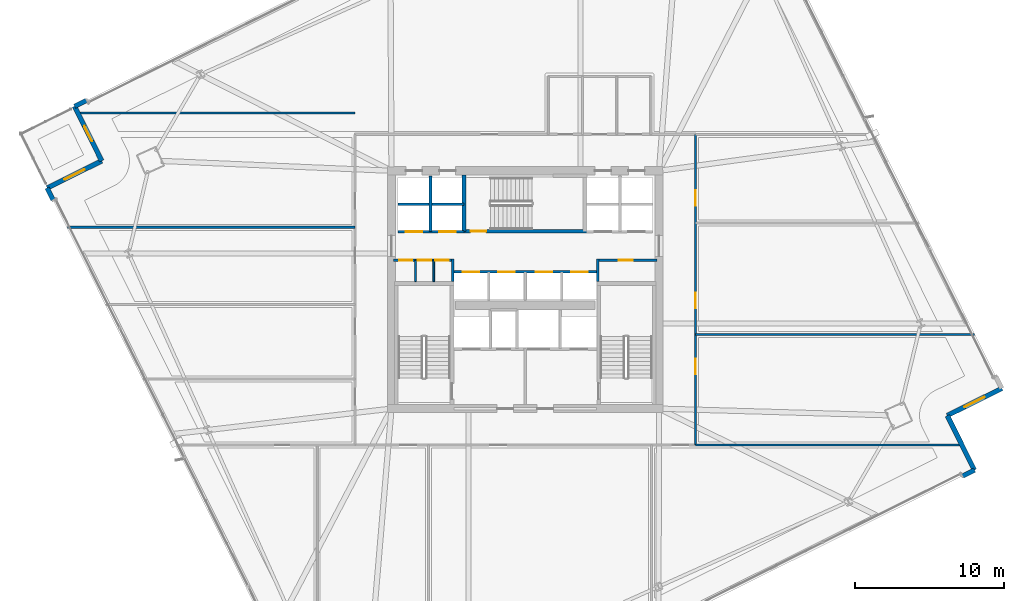
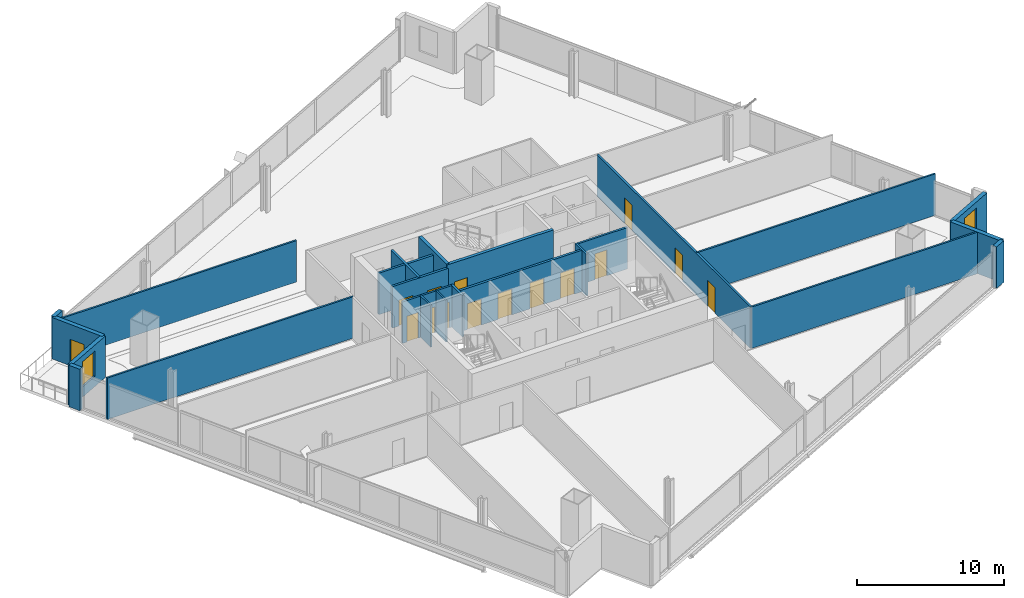
# One storey, part 27 of 35: 24 walls, 15 doors, 2 windows, 17 openings.
"""IFC4 building model written with IfcOpenShell, lengths in metres."""

from ifc_helpers import new_model, si_unit, direction, frame, frame_2d, origin, place, context, subcontext, project, spatial, rectangle, extrude, material, layer, layer_set, type_object, element, fill, save


model = new_model("IFC4")

# Units and contexts
model_context = context("Model", 3, precision=1e-05, world=origin(), true_north=direction((0.0, 1.0)))
body_context = subcontext(model_context, "Body", "Model", "MODEL_VIEW")
ifc_project = project(units=[si_unit("LENGTHUNIT", "METRE"), si_unit("AREAUNIT", "SQUARE_METRE"), si_unit("VOLUMEUNIT", "CUBIC_METRE"), si_unit("PLANEANGLEUNIT", "RADIAN"), si_unit("MASSUNIT", "GRAM", prefix="KILO")], contexts=[model_context])

# Site, building, storey
site_placement = place(None, origin())
site = spatial("IfcSite", under=ifc_project, at=site_placement, CompositionType="ELEMENT")
building_placement = place(site_placement, origin())
building = spatial("IfcBuilding", under=site, at=building_placement, Name="Haldenkirk Collegiate Tower", CompositionType="ELEMENT")
storey_placement = place(building_placement, frame((0.0, 0.0, 116.699951171875)))
storey = spatial("IfcBuildingStorey", under=building, at=storey_placement, Name="L28", CompositionType="ELEMENT", Elevation=116.699951171875)

# Walls
ifc_material_1 = material(Name="Precast concrete f'c 40 MPa", Category="concrete")
ifc_layer_1 = layer(ifc_material_1, 0.320068359375)
ifc_layer_set_1 = layer_set([ifc_layer_1], Name="Precast concrete f'c 40 MPa")
wall_type_1 = type_object("IfcWallType", Name="WL-EXT-TWR-320", PredefinedType="STANDARD", material=ifc_layer_set_1)
wall_1_placement = place(storey_placement, frame((66.218505859375, 13.864501953125, 0.0), z_axis=(0.0, 0.0, 1.0), x_axis=(-0.895347489105, -0.445368245111, 0.0)))
element("IfcWall", 1, at=wall_1_placement, inside=storey, type_object=wall_type_1, Name="L28 precast corner pier SL", PredefinedType="STANDARD", context=body_context, shape_type="SweptSolid", body=[
    extrude(rectangle(XDim=0.900146484375, YDim=0.320068359375, at=frame_2d((0.4501953125, 0.0))), origin(), (0.0, 0.0, 1.0), 3.449951171875),
])
wall_2_placement = place(storey_placement, frame((64.392333984375, 17.535400390625, 0.0), z_axis=(0.0, 0.0, 1.0), x_axis=(0.445402487678, -0.895330455178, 0.0)))
element("IfcWall", 2, at=wall_2_placement, inside=storey, type_object=wall_type_1, Name="L28 bronze precast notch wall 02", PredefinedType="STANDARD", context=body_context, shape_type="SweptSolid", body=[
    extrude(rectangle(XDim=4.10009765625, YDim=0.320068359375, at=frame_2d((2.050048828125, 0.0))), origin(), (0.0, 0.0, 1.0), 3.449951171875),
])

# Wall, opening, window
wall_3_placement = place(storey_placement, frame((68.06298828125, 19.361572265625, 0.0), z_axis=(0.0, 0.0, 1.0), x_axis=(-0.895318641339, -0.4454262346, 0.0)))
wall_3 = element("IfcWall", 3, at=wall_3_placement, inside=storey, type_object=wall_type_1, Name="L28 bronze precast notch wall 03", PredefinedType="STANDARD", context=body_context, shape_type="SweptSolid", body=[
    extrude(rectangle(XDim=4.099853515625, YDim=0.320068359375, at=frame_2d((2.0498046875, 0.0))), origin(), (0.0, 0.0, 1.0), 3.449951171875),
])
opening_1_placement = place(wall_3_placement, frame((1.300048828125, 0.0, 0.85009765625)))
opening_1 = element("IfcOpeningElement", 4, at=opening_1_placement, cuts=wall_3, Name="Opening W-04", PredefinedType="OPENING", context=body_context, shape_type="SweptSolid", body=[
    extrude(rectangle(XDim=1.5, YDim=2.10009765625, at=frame_2d((0.75, 1.050048828125))), frame((0.0, 0.169921875, 0.0), z_axis=(0.0, -1.0, 0.0), x_axis=(1.0, 0.0, 0.0)), (0.0, 0.0, 1.0), 0.340087890625),
])
ifc_material_2 = material(Name="Low-E argon triple insulating glass", Category="glass")
ifc_layer_2 = layer(ifc_material_2, 0.090087890625)
ifc_layer_set_2 = layer_set([ifc_layer_2], Name="Low-E argon triple insulating glass")
window_type = type_object("IfcWindowType", Name="WN-Z2-1500X2100", PartitioningType="SINGLE_PANEL", PredefinedType="WINDOW", material=ifc_layer_set_2)
window_1_placement = place(opening_1_placement, origin())
window_1 = element("IfcWindow", 5, at=window_1_placement, inside=storey, type_object=window_type, Name="L28 precast-frame academic window 2", OverallHeight=2.10009765625, OverallWidth=1.5, PartitioningType="SINGLE_PANEL", PredefinedType="WINDOW", context=body_context, shape_type="SweptSolid", body=[
    extrude(rectangle(XDim=1.5, YDim=2.10009765625, at=frame_2d((0.75, 1.050048828125))), frame((0.0, 0.030029296875, 0.0), z_axis=(0.0, -1.0, 0.0), x_axis=(1.0, 0.0, 0.0)), (0.0, 0.0, 1.0), 0.06005859375),
])
fill(opening_1, window_1)

# Wall
wall_4_placement = place(storey_placement, frame((5.681396484375, 38.3369140625, 0.0), z_axis=(0.0, 0.0, 1.0), x_axis=(0.895293669214, 0.445476425712, 0.0)))
element("IfcWall", 6, at=wall_4_placement, inside=storey, type_object=wall_type_1, Name="L28 precast corner pier NL", PredefinedType="STANDARD", context=body_context, shape_type="SweptSolid", body=[
    extrude(rectangle(XDim=0.89990234375, YDim=0.320068359375, at=frame_2d((0.449951171875, 0.0))), origin(), (0.0, 0.0, 1.0), 3.449951171875),
])

# Wall, opening, door
wall_5_placement = place(storey_placement, frame((7.507568359375, 34.666015625, 0.0), z_axis=(0.0, 0.0, 1.0), x_axis=(-0.445402487678, 0.895330455178, 0.0)))
wall_5 = element("IfcWall", 7, at=wall_5_placement, inside=storey, type_object=wall_type_1, Name="L28 bronze precast notch wall 08", PredefinedType="STANDARD", context=body_context, shape_type="SweptSolid", body=[
    extrude(rectangle(XDim=4.10009765625, YDim=0.320068359375, at=frame_2d((2.050048828125, 0.0))), origin(), (0.0, 0.0, 1.0), 3.449951171875),
])
opening_2_placement = place(wall_5_placement, frame((1.47509765625, 0.0, 0.0)))
opening_2 = element("IfcOpeningElement", 8, at=opening_2_placement, cuts=wall_5, Name="Opening D-ST11", PredefinedType="OPENING", context=body_context, shape_type="SweptSolid", body=[
    extrude(rectangle(XDim=1.14990234375, YDim=2.199951171875, at=frame_2d((0.574951171875, 1.10009765625))), frame((0.0, 0.169921875, 0.0), z_axis=(0.0, -1.0, 0.0), x_axis=(1.0, 0.0, 0.0)), (0.0, 0.0, 1.0), 0.340087890625),
])
ifc_material_3 = material(Name="Anodised architectural bronze aluminium", Category="aluminium")
ifc_layer_3 = layer(ifc_material_3, 0.080078125)
ifc_layer_set_3 = layer_set([ifc_layer_3], Name="Anodised architectural bronze aluminium")
door_type_1 = type_object("IfcDoorType", Name="DR-EXT-STER-1150", OperationType="NOTDEFINED", PredefinedType="DOOR", material=ifc_layer_set_3)
door_1_placement = place(opening_2_placement, origin())
door_1 = element("IfcDoor", 9, at=door_1_placement, inside=storey, type_object=door_type_1, Name="L28 spiralling terrace door", OperationType="SINGLE_SWING_LEFT", OverallHeight=2.199951171875, OverallWidth=1.14990234375, PredefinedType="DOOR", context=body_context, shape_type="SweptSolid", body=[
    extrude(rectangle(XDim=1.14990234375, YDim=2.199951171875, at=frame_2d((0.574951171875, 1.10009765625))), frame((0.0, 0.02490234375, 0.0), z_axis=(0.0, -1.0, 0.0), x_axis=(1.0, 0.0, 0.0)), (0.0, 0.0, 1.0), 0.050048828125),
])
fill(opening_2, door_1)

# Wall, opening, window
wall_6_placement = place(storey_placement, frame((3.836669921875, 32.83984375, 0.0), z_axis=(0.0, 0.0, 1.0), x_axis=(0.895330455178, 0.445402487678, 0.0)))
wall_6 = element("IfcWall", 10, at=wall_6_placement, inside=storey, type_object=wall_type_1, Name="L28 bronze precast notch wall 09", PredefinedType="STANDARD", context=body_context, shape_type="SweptSolid", body=[
    extrude(rectangle(XDim=4.10009765625, YDim=0.320068359375, at=frame_2d((2.050048828125, 0.0))), origin(), (0.0, 0.0, 1.0), 3.449951171875),
])
opening_3_placement = place(wall_6_placement, frame((1.300048828125, 0.0, 0.85009765625)))
opening_3 = element("IfcOpeningElement", 11, at=opening_3_placement, cuts=wall_6, Name="Opening W-04", PredefinedType="OPENING", context=body_context, shape_type="SweptSolid", body=[
    extrude(rectangle(XDim=1.5, YDim=2.10009765625, at=frame_2d((0.75, 1.050048828125))), frame((0.0, 0.169921875, 0.0), z_axis=(0.0, -1.0, 0.0), x_axis=(1.0, 0.0, 0.0)), (0.0, 0.0, 1.0), 0.340087890625),
])
window_2_placement = place(opening_3_placement, origin())
window_2 = element("IfcWindow", 12, at=window_2_placement, inside=storey, type_object=window_type, Name="L28 precast-frame academic window 8", OverallHeight=2.10009765625, OverallWidth=1.5, PartitioningType="SINGLE_PANEL", PredefinedType="WINDOW", context=body_context, shape_type="SweptSolid", body=[
    extrude(rectangle(XDim=1.5, YDim=2.10009765625, at=frame_2d((0.75, 1.050048828125))), frame((0.0, 0.030029296875, 0.0), z_axis=(0.0, -1.0, 0.0), x_axis=(1.0, 0.0, 0.0)), (0.0, 0.0, 1.0), 0.06005859375),
])
fill(opening_3, window_2)

# Wall
wall_7_placement = place(storey_placement, frame((4.237548828125, 32.0341796875, 0.0), z_axis=(0.0, 0.0, 1.0), x_axis=(-0.445476425712, 0.895293669214, 0.0)))
element("IfcWall", 13, at=wall_7_placement, inside=storey, type_object=wall_type_1, Name="L28 precast corner pier WR", PredefinedType="STANDARD", context=body_context, shape_type="SweptSolid", body=[
    extrude(rectangle(XDim=0.89990234375, YDim=0.320068359375, at=frame_2d((0.449951171875, 0.0))), origin(), (0.0, 0.0, 1.0), 3.449951171875),
])

# Wall, openings, doors
ifc_material_4 = material(Name="Acoustic fire-rated gypsum partition", Category="concrete")
ifc_layer_4 = layer(ifc_material_4, 0.159912109375)
ifc_layer_set_4 = layer_set([ifc_layer_4], Name="Acoustic fire-rated gypsum partition")
wall_type_2 = type_object("IfcWallType", Name="WL-INT-CORR-160", PredefinedType="PARTITIONING", material=ifc_layer_set_4)
wall_8_placement = place(storey_placement, frame((27.14990234375, 27.97998046875, 0.0), z_axis=(0.0, 0.0, 1.0), x_axis=(1.0, 0.0, 0.0)))
wall_8 = element("IfcWall", 14, at=wall_8_placement, inside=storey, type_object=wall_type_2, Name="L28 interior partition IW-L28-VCSW-N", PredefinedType="PARTITIONING", context=body_context, shape_type="SweptSolid", body=[
    extrude(rectangle(XDim=4.050048828125, YDim=0.159912109375, at=frame_2d((2.02490234375, 0.0))), origin(), (0.0, 0.0, 1.0), 3.449951171875),
])
opening_4_placement = place(wall_8_placement, frame((0.360107421875, 0.0, 0.0)))
opening_4 = element("IfcOpeningElement", 15, at=opening_4_placement, cuts=wall_8, Name="Opening D-11", PredefinedType="OPENING", context=body_context, shape_type="SweptSolid", body=[
    extrude(rectangle(XDim=0.89990234375, YDim=2.14990234375, at=frame_2d((0.449951171875, 1.074951171875))), frame((0.0, 0.08984375, 0.0), z_axis=(0.0, -1.0, 0.0), x_axis=(1.0, 0.0, 0.0)), (0.0, 0.0, 1.0), 0.179931640625),
])
opening_5_placement = place(wall_8_placement, frame((1.6298828125, 0.0, 0.0)))
opening_5 = element("IfcOpeningElement", 16, at=opening_5_placement, cuts=wall_8, Name="Opening D-11", PredefinedType="OPENING", context=body_context, shape_type="SweptSolid", body=[
    extrude(rectangle(XDim=0.89990234375, YDim=2.14990234375, at=frame_2d((0.449951171875, 1.074951171875))), frame((0.0, 0.08984375, 0.0), z_axis=(0.0, -1.0, 0.0), x_axis=(1.0, 0.0, 0.0)), (0.0, 0.0, 1.0), 0.179931640625),
])
opening_6_placement = place(wall_8_placement, frame((2.78759765625, 0.0, 0.0)))
opening_6 = element("IfcOpeningElement", 17, at=opening_6_placement, cuts=wall_8, Name="Opening D-11", PredefinedType="OPENING", context=body_context, shape_type="SweptSolid", body=[
    extrude(rectangle(XDim=0.89990234375, YDim=2.14990234375, at=frame_2d((0.449951171875, 1.074951171875))), frame((0.0, 0.08984375, 0.0), z_axis=(0.0, -1.0, 0.0), x_axis=(1.0, 0.0, 0.0)), (0.0, 0.0, 1.0), 0.179931640625),
])
ifc_material_5 = material(Name="Solid-core architectural oak fire door", Category="wood")
ifc_layer_5 = layer(ifc_material_5, 0.06005859375)
ifc_layer_set_5 = layer_set([ifc_layer_5], Name="Solid-core architectural oak fire door")
door_type_2 = type_object("IfcDoorType", Name="DR-INT-FD60-900", OperationType="NOTDEFINED", PredefinedType="DOOR", material=ifc_layer_set_5)
door_2_placement = place(opening_4_placement, origin())
door_2 = element("IfcDoor", 18, at=door_2_placement, inside=storey, type_object=door_type_2, Name="L28 core study booth door", OperationType="SINGLE_SWING_RIGHT", OverallHeight=2.14990234375, OverallWidth=0.89990234375, PredefinedType="DOOR", context=body_context, shape_type="SweptSolid", body=[
    extrude(rectangle(XDim=0.89990234375, YDim=2.14990234375, at=frame_2d((0.449951171875, 1.074951171875))), frame((0.0, 0.02490234375, 0.0), z_axis=(0.0, -1.0, 0.0), x_axis=(1.0, 0.0, 0.0)), (0.0, 0.0, 1.0), 0.050048828125),
])
fill(opening_4, door_2)
door_3_placement = place(opening_5_placement, origin())
door_3 = element("IfcDoor", 19, at=door_3_placement, inside=storey, type_object=door_type_2, Name="L28 core cleaners door", OperationType="SINGLE_SWING_LEFT", OverallHeight=2.14990234375, OverallWidth=0.89990234375, PredefinedType="DOOR", context=body_context, shape_type="SweptSolid", body=[
    extrude(rectangle(XDim=0.89990234375, YDim=2.14990234375, at=frame_2d((0.449951171875, 1.074951171875))), frame((0.0, 0.02490234375, 0.0), z_axis=(0.0, -1.0, 0.0), x_axis=(1.0, 0.0, 0.0)), (0.0, 0.0, 1.0), 0.050048828125),
])
fill(opening_5, door_3)
door_4_placement = place(opening_6_placement, origin())
door_4 = element("IfcDoor", 20, at=door_4_placement, inside=storey, type_object=door_type_2, Name="L28 core stationery door", OperationType="SINGLE_SWING_RIGHT", OverallHeight=2.14990234375, OverallWidth=0.89990234375, PredefinedType="DOOR", context=body_context, shape_type="SweptSolid", body=[
    extrude(rectangle(XDim=0.89990234375, YDim=2.14990234375, at=frame_2d((0.449951171875, 1.074951171875))), frame((0.0, 0.02490234375, 0.0), z_axis=(0.0, -1.0, 0.0), x_axis=(1.0, 0.0, 0.0)), (0.0, 0.0, 1.0), 0.050048828125),
])
fill(opening_6, door_4)

# Wall
wall_9_placement = place(storey_placement, frame((31.1201171875, 26.5400390625, 0.0), z_axis=(0.0, 0.0, 1.0), x_axis=(0.0, 1.0, 0.0)))
element("IfcWall", 21, at=wall_9_placement, inside=storey, type_object=wall_type_2, Name="L28 interior partition IW-L28-VCSW-E", PredefinedType="PARTITIONING", context=body_context, shape_type="SweptSolid", body=[
    extrude(rectangle(XDim=1.510009765625, YDim=0.159912109375, at=frame_2d((0.7548828125, 0.0))), origin(), (0.0, 0.0, 1.0), 3.449951171875),
])

# Wall, opening, door
wall_10_placement = place(storey_placement, frame((40.800048828125, 27.97998046875, 0.0), z_axis=(0.0, 0.0, 1.0), x_axis=(1.0, 0.0, 0.0)))
wall_10 = element("IfcWall", 22, at=wall_10_placement, inside=storey, type_object=wall_type_2, Name="L28 interior partition IW-L28-VCSE-N", PredefinedType="PARTITIONING", context=body_context, shape_type="SweptSolid", body=[
    extrude(rectangle(XDim=4.050048828125, YDim=0.159912109375, at=frame_2d((2.02490234375, 0.0))), origin(), (0.0, 0.0, 1.0), 3.449951171875),
])
opening_7_placement = place(wall_10_placement, frame((1.47509765625, 0.0, 0.0)))
opening_7 = element("IfcOpeningElement", 23, at=opening_7_placement, cuts=wall_10, Name="Opening D-10", PredefinedType="OPENING", context=body_context, shape_type="SweptSolid", body=[
    extrude(rectangle(XDim=0.949951171875, YDim=2.14990234375, at=frame_2d((0.47509765625, 1.074951171875))), frame((0.0, 0.08984375, 0.0), z_axis=(0.0, -1.0, 0.0), x_axis=(1.0, 0.0, 0.0)), (0.0, 0.0, 1.0), 0.179931640625),
])
ifc_layer_6 = layer(ifc_material_5, 0.06005859375)
ifc_layer_set_6 = layer_set([ifc_layer_6], Name="Solid-core architectural oak fire door")
door_type_3 = type_object("IfcDoorType", Name="DR-INT-FD60-950", OperationType="NOTDEFINED", PredefinedType="DOOR", material=ifc_layer_set_6)
door_5_placement = place(opening_7_placement, origin())
door_5 = element("IfcDoor", 24, at=door_5_placement, inside=storey, type_object=door_type_3, Name="L28 core archive vault door", OperationType="SINGLE_SWING_LEFT", OverallHeight=2.14990234375, OverallWidth=0.949951171875, PredefinedType="DOOR", context=body_context, shape_type="SweptSolid", body=[
    extrude(rectangle(XDim=0.949951171875, YDim=2.14990234375, at=frame_2d((0.47509765625, 1.074951171875))), frame((0.0, 0.02490234375, 0.0), z_axis=(0.0, -1.0, 0.0), x_axis=(1.0, 0.0, 0.0)), (0.0, 0.0, 1.0), 0.050048828125),
])
fill(opening_7, door_5)

# Wall
wall_11_placement = place(storey_placement, frame((40.8798828125, 26.5400390625, 0.0), z_axis=(0.0, 0.0, 1.0), x_axis=(0.0, 1.0, 0.0)))
element("IfcWall", 25, at=wall_11_placement, inside=storey, type_object=wall_type_2, Name="L28 interior partition IW-L28-VCSE-W", PredefinedType="PARTITIONING", context=body_context, shape_type="SweptSolid", body=[
    extrude(rectangle(XDim=1.510009765625, YDim=0.159912109375, at=frame_2d((0.7548828125, 0.0))), origin(), (0.0, 0.0, 1.0), 3.449951171875),
])

# Wall, openings, doors
wall_12_placement = place(storey_placement, frame((47.449951171875, 15.550048828125, 0.0), z_axis=(0.0, 0.0, 1.0), x_axis=(0.0, 1.0, 0.0)))
wall_12 = element("IfcWall", 26, at=wall_12_placement, inside=storey, type_object=wall_type_2, Name="L28 interior partition IW-L28-CE", PredefinedType="PARTITIONING", context=body_context, shape_type="SweptSolid", body=[
    extrude(rectangle(XDim=20.89990234375, YDim=0.159912109375, at=frame_2d((10.449951171875, 0.0))), origin(), (0.0, 0.0, 1.0), 3.449951171875),
])
opening_8_placement = place(wall_12_placement, frame((4.76708984375, 0.0, 0.0)))
opening_8 = element("IfcOpeningElement", 27, at=opening_8_placement, cuts=wall_12, Name="Opening D-09", PredefinedType="OPENING", context=body_context, shape_type="SweptSolid", body=[
    extrude(rectangle(XDim=1.050048828125, YDim=2.14990234375, at=frame_2d((0.52490234375, 1.074951171875))), frame((0.0, 0.08984375, 0.0), z_axis=(0.0, -1.0, 0.0), x_axis=(1.0, 0.0, 0.0)), (0.0, 0.0, 1.0), 0.179931640625),
])
opening_9_placement = place(wall_12_placement, frame((9.205078125, 0.0, 0.0)))
opening_9 = element("IfcOpeningElement", 28, at=opening_9_placement, cuts=wall_12, Name="Opening D-09", PredefinedType="OPENING", context=body_context, shape_type="SweptSolid", body=[
    extrude(rectangle(XDim=1.050048828125, YDim=2.14990234375, at=frame_2d((0.52490234375, 1.074951171875))), frame((0.0, 0.08984375, 0.0), z_axis=(0.0, -1.0, 0.0), x_axis=(1.0, 0.0, 0.0)), (0.0, 0.0, 1.0), 0.179931640625),
])
opening_10_placement = place(wall_12_placement, frame((16.10302734375, 0.0, 0.0)))
opening_10 = element("IfcOpeningElement", 29, at=opening_10_placement, cuts=wall_12, Name="Opening D-09", PredefinedType="OPENING", context=body_context, shape_type="SweptSolid", body=[
    extrude(rectangle(XDim=1.050048828125, YDim=2.14990234375, at=frame_2d((0.52490234375, 1.074951171875))), frame((0.0, 0.08984375, 0.0), z_axis=(0.0, -1.0, 0.0), x_axis=(1.0, 0.0, 0.0)), (0.0, 0.0, 1.0), 0.179931640625),
])
ifc_layer_7 = layer(ifc_material_5, 0.06005859375)
ifc_layer_set_7 = layer_set([ifc_layer_7], Name="Solid-core architectural oak fire door")
door_type_4 = type_object("IfcDoorType", Name="DR-INT-FD60-1050", OperationType="NOTDEFINED", PredefinedType="DOOR", material=ifc_layer_set_7)
door_6_placement = place(opening_8_placement, origin())
door_6 = element("IfcDoor", 30, at=door_6_placement, inside=storey, type_object=door_type_4, Name="L28 Faculty Club Lounge 10 door", OperationType="SINGLE_SWING_RIGHT", OverallHeight=2.14990234375, OverallWidth=1.050048828125, PredefinedType="DOOR", context=body_context, shape_type="SweptSolid", body=[
    extrude(rectangle(XDim=1.050048828125, YDim=2.14990234375, at=frame_2d((0.52490234375, 1.074951171875))), frame((0.0, 0.02490234375, 0.0), z_axis=(0.0, -1.0, 0.0), x_axis=(1.0, 0.0, 0.0)), (0.0, 0.0, 1.0), 0.050048828125),
])
fill(opening_8, door_6)
door_7_placement = place(opening_9_placement, origin())
door_7 = element("IfcDoor", 31, at=door_7_placement, inside=storey, type_object=door_type_4, Name="L28 Periodical Reading Lounge 11 door", OperationType="SINGLE_SWING_LEFT", OverallHeight=2.14990234375, OverallWidth=1.050048828125, PredefinedType="DOOR", context=body_context, shape_type="SweptSolid", body=[
    extrude(rectangle(XDim=1.050048828125, YDim=2.14990234375, at=frame_2d((0.52490234375, 1.074951171875))), frame((0.0, 0.02490234375, 0.0), z_axis=(0.0, -1.0, 0.0), x_axis=(1.0, 0.0, 0.0)), (0.0, 0.0, 1.0), 0.050048828125),
])
fill(opening_9, door_7)
door_8_placement = place(opening_10_placement, origin())
door_8 = element("IfcDoor", 32, at=door_8_placement, inside=storey, type_object=door_type_4, Name="L28 Scholar Lounge 12 door", OperationType="SINGLE_SWING_RIGHT", OverallHeight=2.14990234375, OverallWidth=1.050048828125, PredefinedType="DOOR", context=body_context, shape_type="SweptSolid", body=[
    extrude(rectangle(XDim=1.050048828125, YDim=2.14990234375, at=frame_2d((0.52490234375, 1.074951171875))), frame((0.0, 0.02490234375, 0.0), z_axis=(0.0, -1.0, 0.0), x_axis=(1.0, 0.0, 0.0)), (0.0, 0.0, 1.0), 0.050048828125),
])
fill(opening_10, door_8)

# Walls
ifc_layer_8 = layer(ifc_material_4, 0.139892578125)
ifc_layer_set_8 = layer_set([ifc_layer_8], Name="Acoustic fire-rated gypsum partition")
wall_type_3 = type_object("IfcWallType", Name="WL-INT-DIV-140", PredefinedType="PARTITIONING", material=ifc_layer_set_8)
wall_13_placement = place(storey_placement, frame((5.943359375, 37.89990234375, 0.0), z_axis=(0.0, 0.0, 1.0), x_axis=(1.0, 0.0, 0.0)))
element("IfcWall", 33, at=wall_13_placement, inside=storey, type_object=wall_type_3, Name="L28 interior partition IW-L28-BWN", PredefinedType="PARTITIONING", context=body_context, shape_type="SweptSolid", body=[
    extrude(rectangle(XDim=18.606689453125, YDim=0.139892578125, at=frame_2d((9.30322265625, 0.0))), origin(), (0.0, 0.0, 1.0), 3.449951171875),
])
wall_14_placement = place(storey_placement, frame((47.449951171875, 15.550048828125, 0.0), z_axis=(0.0, 0.0, 1.0), x_axis=(1.0, 0.0, 0.0)))
element("IfcWall", 34, at=wall_14_placement, inside=storey, type_object=wall_type_3, Name="L28 interior partition IW-L28-BES", PredefinedType="PARTITIONING", context=body_context, shape_type="SweptSolid", body=[
    extrude(rectangle(XDim=17.88525390625, YDim=0.139892578125, at=frame_2d((8.942626953125, 0.0))), origin(), (0.0, 0.0, 1.0), 3.449951171875),
])
wall_15_placement = place(storey_placement, frame((5.194580078125, 30.199951171875, 0.0), z_axis=(0.0, 0.0, 1.0), x_axis=(1.0, 0.0, 0.0)))
element("IfcWall", 35, at=wall_15_placement, inside=storey, type_object=wall_type_3, Name="L28 interior partition IW-L28-RW3", PredefinedType="PARTITIONING", context=body_context, shape_type="SweptSolid", body=[
    extrude(rectangle(XDim=19.35546875, YDim=0.139892578125, at=frame_2d((9.677734375, 0.0))), origin(), (0.0, 0.0, 1.0), 3.449951171875),
])
wall_16_placement = place(storey_placement, frame((47.449951171875, 23.0, 0.0), z_axis=(0.0, 0.0, 1.0), x_axis=(1.0, 0.0, 0.0)))
element("IfcWall", 36, at=wall_16_placement, inside=storey, type_object=wall_type_3, Name="L28 interior partition IW-L28-RE1", PredefinedType="PARTITIONING", context=body_context, shape_type="SweptSolid", body=[
    extrude(rectangle(XDim=18.75830078125, YDim=0.139892578125, at=frame_2d((9.379150390625, 0.0))), origin(), (0.0, 0.0, 1.0), 3.449951171875),
])

# Wall, openings, doors
ifc_material_6 = material(Name="Fire-rated gypsum shaftboard assembly", Category="concrete")
ifc_layer_9 = layer(ifc_material_6, 0.179931640625)
ifc_layer_set_9 = layer_set([ifc_layer_9], Name="Fire-rated gypsum shaftboard assembly")
wall_type_4 = type_object("IfcWallType", Name="WL-INT-SHAFT-180", PredefinedType="PARTITIONING", material=ifc_layer_set_9)
wall_17_placement = place(storey_placement, frame((27.449951171875, 29.89990234375, 0.0), z_axis=(0.0, 0.0, 1.0), x_axis=(1.0, 0.0, 0.0)))
wall_17 = element("IfcWall", 37, at=wall_17_placement, inside=storey, type_object=wall_type_4, Name="L28 interior partition IW-L28-PLS", PredefinedType="PARTITIONING", context=body_context, shape_type="SweptSolid", body=[
    extrude(rectangle(XDim=4.429931640625, YDim=0.179931640625, at=frame_2d((2.21484375, 0.0))), origin(), (0.0, 0.0, 1.0), 3.449951171875),
])
opening_11_placement = place(wall_17_placement, frame((0.514892578125, 0.0, 0.0)))
opening_11 = element("IfcOpeningElement", 38, at=opening_11_placement, cuts=wall_17, Name="Opening LD-11", PredefinedType="OPENING", context=body_context, shape_type="SweptSolid", body=[
    extrude(rectangle(XDim=1.10009765625, YDim=2.14990234375, at=frame_2d((0.550048828125, 1.074951171875))), frame((0.0, 0.099853515625, 0.0), z_axis=(0.0, -1.0, 0.0), x_axis=(1.0, 0.0, 0.0)), (0.0, 0.0, 1.0), 0.199951171875),
])
opening_12_placement = place(wall_17_placement, frame((2.764892578125, 0.0, 0.0)))
opening_12 = element("IfcOpeningElement", 39, at=opening_12_placement, cuts=wall_17, Name="Opening LD-11", PredefinedType="OPENING", context=body_context, shape_type="SweptSolid", body=[
    extrude(rectangle(XDim=1.10009765625, YDim=2.14990234375, at=frame_2d((0.550048828125, 1.074951171875))), frame((0.0, 0.099853515625, 0.0), z_axis=(0.0, -1.0, 0.0), x_axis=(1.0, 0.0, 0.0)), (0.0, 0.0, 1.0), 0.199951171875),
])
ifc_material_7 = material(Name="Brushed architectural stainless steel", Category="steel")
ifc_layer_10 = layer(ifc_material_7, 0.06005859375)
ifc_layer_set_10 = layer_set([ifc_layer_10], Name="Brushed architectural stainless steel")
door_type_5 = type_object("IfcDoorType", Name="LD-PASS-1100", OperationType="NOTDEFINED", PredefinedType="DOOR", material=ifc_layer_set_10)
door_9_placement = place(opening_11_placement, origin())
door_9 = element("IfcDoor", 40, at=door_9_placement, inside=storey, type_object=door_type_5, Name="L28 Elevator PL1 sliding landing door", OperationType="SLIDING_TO_LEFT", OverallHeight=2.14990234375, OverallWidth=1.10009765625, PredefinedType="DOOR", context=body_context, shape_type="SweptSolid", body=[
    extrude(rectangle(XDim=1.10009765625, YDim=2.14990234375, at=frame_2d((0.550048828125, 1.074951171875))), frame((0.0, 0.02490234375, 0.0), z_axis=(0.0, -1.0, 0.0), x_axis=(1.0, 0.0, 0.0)), (0.0, 0.0, 1.0), 0.050048828125),
])
fill(opening_11, door_9)
door_10_placement = place(opening_12_placement, origin())
door_10 = element("IfcDoor", 41, at=door_10_placement, inside=storey, type_object=door_type_5, Name="L28 Elevator PL2 sliding landing door", OperationType="SLIDING_TO_LEFT", OverallHeight=2.14990234375, OverallWidth=1.10009765625, PredefinedType="DOOR", context=body_context, shape_type="SweptSolid", body=[
    extrude(rectangle(XDim=1.10009765625, YDim=2.14990234375, at=frame_2d((0.550048828125, 1.074951171875))), frame((0.0, 0.02490234375, 0.0), z_axis=(0.0, -1.0, 0.0), x_axis=(1.0, 0.0, 0.0)), (0.0, 0.0, 1.0), 0.050048828125),
])
fill(opening_12, door_10)

# Walls
wall_18_placement = place(storey_placement, frame((27.449951171875, 31.75, 0.0), z_axis=(0.0, 0.0, 1.0), x_axis=(1.0, 0.0, 0.0)))
element("IfcWall", 42, at=wall_18_placement, inside=storey, type_object=wall_type_4, Name="L28 interior partition IW-L28-PLM", PredefinedType="PARTITIONING", context=body_context, shape_type="SweptSolid", body=[
    extrude(rectangle(XDim=4.429931640625, YDim=0.179931640625, at=frame_2d((2.21484375, 0.0))), origin(), (0.0, 0.0, 1.0), 3.449951171875),
])
wall_19_placement = place(storey_placement, frame((29.6298828125, 29.89990234375, 0.0), z_axis=(0.0, 0.0, 1.0), x_axis=(0.0, 1.0, 0.0)))
element("IfcWall", 43, at=wall_19_placement, inside=storey, type_object=wall_type_4, Name="L28 interior partition IW-L28-PLV", PredefinedType="PARTITIONING", context=body_context, shape_type="SweptSolid", body=[
    extrude(rectangle(XDim=3.75, YDim=0.179931640625, at=frame_2d((1.875, 0.0))), origin(), (0.0, 0.0, 1.0), 3.449951171875),
])

# Wall, openings, doors
wall_20_placement = place(storey_placement, frame((31.199951171875, 27.199951171875, 0.0), z_axis=(0.0, 0.0, 1.0), x_axis=(1.0, 0.0, 0.0)))
wall_20 = element("IfcWall", 44, at=wall_20_placement, inside=storey, type_object=wall_type_4, Name="L28 interior partition IW-L28-PHN", PredefinedType="PARTITIONING", context=body_context, shape_type="SweptSolid", body=[
    extrude(rectangle(XDim=9.60009765625, YDim=0.179931640625, at=frame_2d((4.800048828125, 0.0))), origin(), (0.0, 0.0, 1.0), 3.449951171875),
])
opening_13_placement = place(wall_20_placement, frame((0.590087890625, 0.0, 0.0)))
opening_13 = element("IfcOpeningElement", 45, at=opening_13_placement, cuts=wall_20, Name="Opening LD-11", PredefinedType="OPENING", context=body_context, shape_type="SweptSolid", body=[
    extrude(rectangle(XDim=1.10009765625, YDim=2.14990234375, at=frame_2d((0.550048828125, 1.074951171875))), frame((0.0, 0.099853515625, 0.0), z_axis=(0.0, -1.0, 0.0), x_axis=(1.0, 0.0, 0.0)), (0.0, 0.0, 1.0), 0.199951171875),
])
opening_14_placement = place(wall_20_placement, frame((2.989990234375, 0.0, 0.0)))
opening_14 = element("IfcOpeningElement", 46, at=opening_14_placement, cuts=wall_20, Name="Opening LD-11", PredefinedType="OPENING", context=body_context, shape_type="SweptSolid", body=[
    extrude(rectangle(XDim=1.10009765625, YDim=2.14990234375, at=frame_2d((0.550048828125, 1.074951171875))), frame((0.0, 0.099853515625, 0.0), z_axis=(0.0, -1.0, 0.0), x_axis=(1.0, 0.0, 0.0)), (0.0, 0.0, 1.0), 0.199951171875),
])
opening_15_placement = place(wall_20_placement, frame((5.510009765625, 0.0, 0.0)))
opening_15 = element("IfcOpeningElement", 47, at=opening_15_placement, cuts=wall_20, Name="Opening LD-11", PredefinedType="OPENING", context=body_context, shape_type="SweptSolid", body=[
    extrude(rectangle(XDim=1.10009765625, YDim=2.14990234375, at=frame_2d((0.550048828125, 1.074951171875))), frame((0.0, 0.099853515625, 0.0), z_axis=(0.0, -1.0, 0.0), x_axis=(1.0, 0.0, 0.0)), (0.0, 0.0, 1.0), 0.199951171875),
])
opening_16_placement = place(wall_20_placement, frame((7.909912109375, 0.0, 0.0)))
opening_16 = element("IfcOpeningElement", 48, at=opening_16_placement, cuts=wall_20, Name="Opening LD-11", PredefinedType="OPENING", context=body_context, shape_type="SweptSolid", body=[
    extrude(rectangle(XDim=1.10009765625, YDim=2.14990234375, at=frame_2d((0.550048828125, 1.074951171875))), frame((0.0, 0.099853515625, 0.0), z_axis=(0.0, -1.0, 0.0), x_axis=(1.0, 0.0, 0.0)), (0.0, 0.0, 1.0), 0.199951171875),
])
door_11_placement = place(opening_13_placement, origin())
door_11 = element("IfcDoor", 49, at=door_11_placement, inside=storey, type_object=door_type_5, Name="L28 Elevator PH1 sliding landing door", OperationType="SLIDING_TO_LEFT", OverallHeight=2.14990234375, OverallWidth=1.10009765625, PredefinedType="DOOR", context=body_context, shape_type="SweptSolid", body=[
    extrude(rectangle(XDim=1.10009765625, YDim=2.14990234375, at=frame_2d((0.550048828125, 1.074951171875))), frame((0.0, 0.02490234375, 0.0), z_axis=(0.0, -1.0, 0.0), x_axis=(1.0, 0.0, 0.0)), (0.0, 0.0, 1.0), 0.050048828125),
])
fill(opening_13, door_11)
door_12_placement = place(opening_14_placement, origin())
door_12 = element("IfcDoor", 50, at=door_12_placement, inside=storey, type_object=door_type_5, Name="L28 Elevator PH2 sliding landing door", OperationType="SLIDING_TO_LEFT", OverallHeight=2.14990234375, OverallWidth=1.10009765625, PredefinedType="DOOR", context=body_context, shape_type="SweptSolid", body=[
    extrude(rectangle(XDim=1.10009765625, YDim=2.14990234375, at=frame_2d((0.550048828125, 1.074951171875))), frame((0.0, 0.02490234375, 0.0), z_axis=(0.0, -1.0, 0.0), x_axis=(1.0, 0.0, 0.0)), (0.0, 0.0, 1.0), 0.050048828125),
])
fill(opening_14, door_12)
door_13_placement = place(opening_15_placement, origin())
door_13 = element("IfcDoor", 51, at=door_13_placement, inside=storey, type_object=door_type_5, Name="L28 Elevator PH3 sliding landing door", OperationType="SLIDING_TO_LEFT", OverallHeight=2.14990234375, OverallWidth=1.10009765625, PredefinedType="DOOR", context=body_context, shape_type="SweptSolid", body=[
    extrude(rectangle(XDim=1.10009765625, YDim=2.14990234375, at=frame_2d((0.550048828125, 1.074951171875))), frame((0.0, 0.02490234375, 0.0), z_axis=(0.0, -1.0, 0.0), x_axis=(1.0, 0.0, 0.0)), (0.0, 0.0, 1.0), 0.050048828125),
])
fill(opening_15, door_13)
door_14_placement = place(opening_16_placement, origin())
door_14 = element("IfcDoor", 52, at=door_14_placement, inside=storey, type_object=door_type_5, Name="L28 Elevator PH4 sliding landing door", OperationType="SLIDING_TO_LEFT", OverallHeight=2.14990234375, OverallWidth=1.10009765625, PredefinedType="DOOR", context=body_context, shape_type="SweptSolid", body=[
    extrude(rectangle(XDim=1.10009765625, YDim=2.14990234375, at=frame_2d((0.550048828125, 1.074951171875))), frame((0.0, 0.02490234375, 0.0), z_axis=(0.0, -1.0, 0.0), x_axis=(1.0, 0.0, 0.0)), (0.0, 0.0, 1.0), 0.050048828125),
])
fill(opening_16, door_14)

# Walls
ifc_layer_11 = layer(ifc_material_4, 0.1201171875)
ifc_layer_set_11 = layer_set([ifc_layer_11], Name="Acoustic fire-rated gypsum partition")
wall_type_5 = type_object("IfcWallType", Name="WL-INT-WET-120", PredefinedType="PARTITIONING", material=ifc_layer_set_11)
for number, where, z_axis, x_axis, name in (
    (53, (28.6201171875, 26.5400390625, 0.0), (0.0, 0.0, 1.0), (0.0, 1.0, 0.0), "L28 interior partition IW-L28-VCSW-M1"),
    (54, (29.840087890625, 26.5400390625, 0.0), (0.0, 0.0, 1.0), (0.0, 1.0, 0.0), "L28 interior partition IW-L28-VCSW-M2"),
):
    element("IfcWall", number, at=place(storey_placement, frame(where, z_axis=z_axis, x_axis=x_axis)), inside=storey, type_object=wall_type_5, Name=name, PredefinedType="PARTITIONING", context=body_context, shape_type="SweptSolid", body=[
        extrude(rectangle(XDim=1.43994140625, YDim=0.1201171875, at=frame_2d((0.719970703125, 0.0))), origin(), (0.0, 0.0, 1.0), 3.449951171875),
    ])

# Wall, opening, door
ifc_material_8 = material(Name="Concrete f'c 55 MPa", Category="concrete")
ifc_layer_12 = layer(ifc_material_8, 0.239990234375)
ifc_layer_set_12 = layer_set([ifc_layer_12], Name="Concrete f'c 55 MPa")
wall_type_6 = type_object("IfcWallType", Name="WL-SHAFT-240", PredefinedType="SHEAR", material=ifc_layer_set_12)
wall_21_placement = place(storey_placement, frame((31.760009765625, 29.929931640625, 0.0), z_axis=(0.0, 0.0, 1.0), x_axis=(1.0, 0.0, 0.0)))
wall_21 = element("IfcWall", 55, at=wall_21_placement, inside=storey, type_object=wall_type_6, Name="L28 stair shaft shear wall SW-L28-ST3S", PredefinedType="SHEAR", context=body_context, shape_type="SweptSolid", body=[
    extrude(rectangle(XDim=8.3798828125, YDim=0.239990234375, at=frame_2d((4.18994140625, 0.0))), origin(), (0.0, 0.0, 1.0), 3.75),
])
opening_17_placement = place(wall_21_placement, frame((0.56494140625, 0.0, 0.0)))
opening_17 = element("IfcOpeningElement", 56, at=opening_17_placement, cuts=wall_21, Name="Opening D-01", PredefinedType="OPENING", context=body_context, shape_type="SweptSolid", body=[
    extrude(rectangle(XDim=1.050048828125, YDim=2.14990234375, at=frame_2d((0.52490234375, 1.074951171875))), frame((0.0, 0.1298828125, 0.0), z_axis=(0.0, -1.0, 0.0), x_axis=(1.0, 0.0, 0.0)), (0.0, 0.0, 1.0), 0.260009765625),
])
ifc_material_9 = material(Name="Galvanized fire-rated hollow steel door", Category="steel")
ifc_layer_13 = layer(ifc_material_9, 0.06005859375)
ifc_layer_set_13 = layer_set([ifc_layer_13], Name="Galvanized fire-rated hollow steel door")
door_type_6 = type_object("IfcDoorType", Name="DR-STAIR-FD90-1050", OperationType="NOTDEFINED", PredefinedType="DOOR", material=ifc_layer_set_13)
door_15_placement = place(opening_17_placement, origin())
door_15 = element("IfcDoor", 57, at=door_15_placement, inside=storey, type_object=door_type_6, Name="L28 lift lobby Stair 3 door", OperationType="SINGLE_SWING_RIGHT", OverallHeight=2.14990234375, OverallWidth=1.050048828125, PredefinedType="DOOR", context=body_context, shape_type="SweptSolid", body=[
    extrude(rectangle(XDim=1.050048828125, YDim=2.14990234375, at=frame_2d((0.52490234375, 1.074951171875))), frame((0.0, 0.02490234375, 0.0), z_axis=(0.0, -1.0, 0.0), x_axis=(1.0, 0.0, 0.0)), (0.0, 0.0, 1.0), 0.050048828125),
])
fill(opening_17, door_15)

# Wall
wall_22_placement = place(storey_placement, frame((31.8798828125, 29.929931640625, 0.0), z_axis=(0.0, 0.0, 1.0), x_axis=(0.0, 1.0, 0.0)))
element("IfcWall", 58, at=wall_22_placement, inside=storey, type_object=wall_type_6, Name="L28 stair shaft shear wall SW-L28-ST3W", PredefinedType="SHEAR", context=body_context, shape_type="SweptSolid", body=[
    extrude(rectangle(XDim=3.7900390625, YDim=0.239990234375, at=frame_2d((1.89501953125, 0.0))), origin(), (0.0, 0.0, 1.0), 3.75),
])

save(model, "model.ifc")
